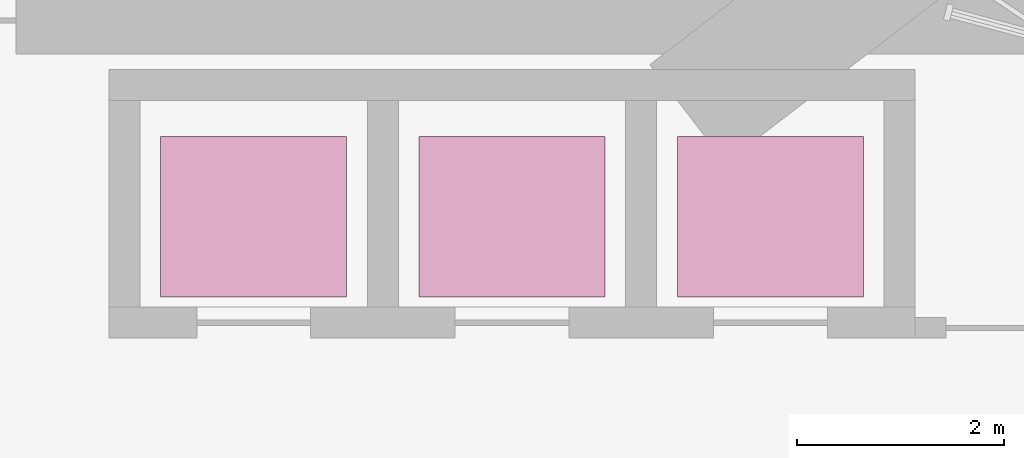
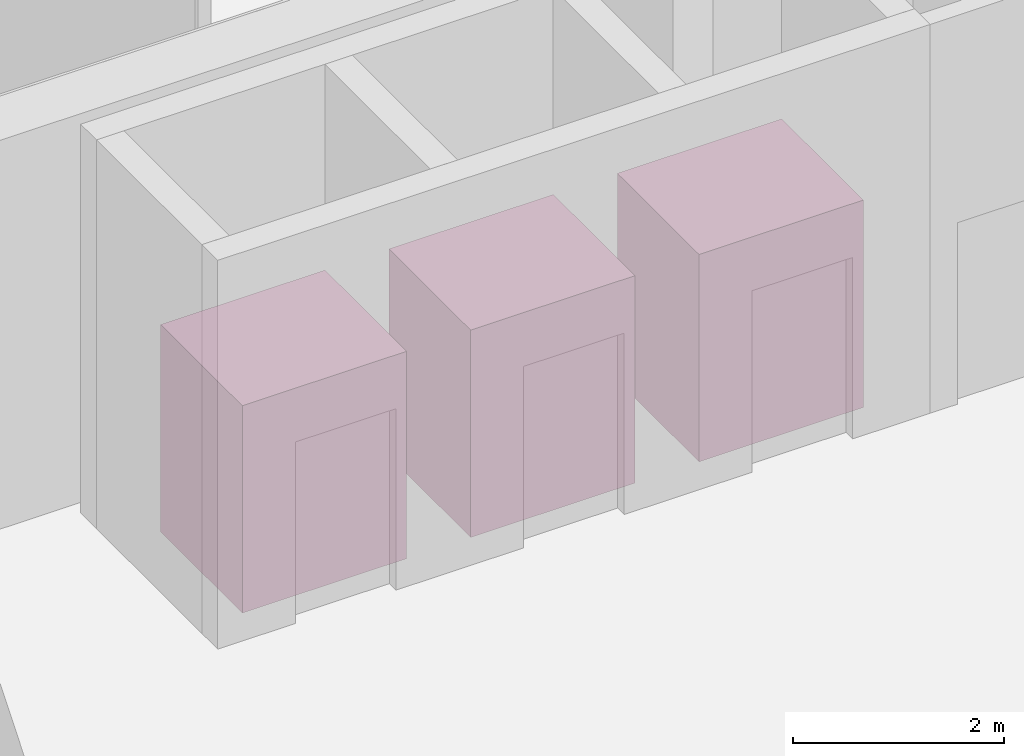
# One storey, part 23 of 23: 3 transport elements.
"""IFC4 building model written with IfcOpenShell, lengths in metres."""

from ifc_helpers import new_model, si_unit, direction, frame, origin, origin_2d, place, context, subcontext, project, spatial, rectangle, extrude, material, type_object, element, save


model = new_model("IFC4")

# Units and contexts
model_context = context("Model", 3, precision=1e-05, world=origin(), true_north=direction((0.0, 1.0)))
body_context = subcontext(model_context, "Body", "Model", "MODEL_VIEW")
ifc_project = project(units=[si_unit("LENGTHUNIT", "METRE"), si_unit("AREAUNIT", "SQUARE_METRE"), si_unit("VOLUMEUNIT", "CUBIC_METRE"), si_unit("PLANEANGLEUNIT", "RADIAN"), si_unit("MASSUNIT", "GRAM", prefix="KILO")], contexts=[model_context])

# Site, building, storey
site_placement = place(None, origin())
site = spatial("IfcSite", under=ifc_project, at=site_placement, CompositionType="ELEMENT")
building_placement = place(site_placement, origin())
building = spatial("IfcBuilding", under=site, at=building_placement, Name="Plateau Cross Towers", CompositionType="ELEMENT")
storey_placement = place(building_placement, frame((0.0, 0.0, 123.800048828125)))
storey = spatial("IfcBuildingStorey", under=building, at=storey_placement, Name="L32", CompositionType="ELEMENT", Elevation=123.800048828125)

# Transport elements
ifc_material = material(Name="Stainless steel car", Category="steel")
transport_element_type = type_object("IfcTransportElementType", Name="Passenger lift 1150 kg", PredefinedType="ELEVATOR", material=ifc_material)
for number, where, z_axis, x_axis, name in (
    (1, (12.199951171875, 15.77490234375, 0.0), (0.0, 0.0, 1.0), (1.0, 0.0, 0.0), "Lift HL1"),
    (2, (14.699951171875, 15.77490234375, 0.0), (0.0, 0.0, 1.0), (1.0, 0.0, 0.0), "Lift HL2"),
    (3, (17.199951171875, 15.77490234375, 0.0), (0.0, 0.0, 1.0), (1.0, 0.0, 0.0), "Lift HL3"),
):
    element("IfcTransportElement", number, at=place(storey_placement, frame(where, z_axis=z_axis, x_axis=x_axis)), inside=storey, type_object=transport_element_type, Name=name, PredefinedType="ELEVATOR", context=body_context, shape_type="SweptSolid", body=[
        extrude(rectangle(XDim=1.800048828125, YDim=1.550048828125, at=origin_2d()), origin(), (0.0, 0.0, 1.0), 2.39990234375),
    ])

save(model, "model.ifc")
